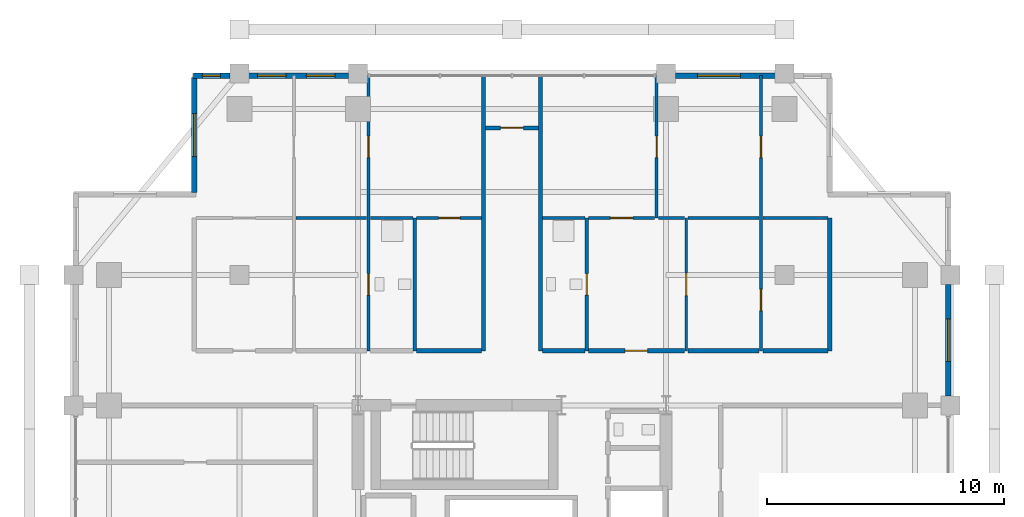
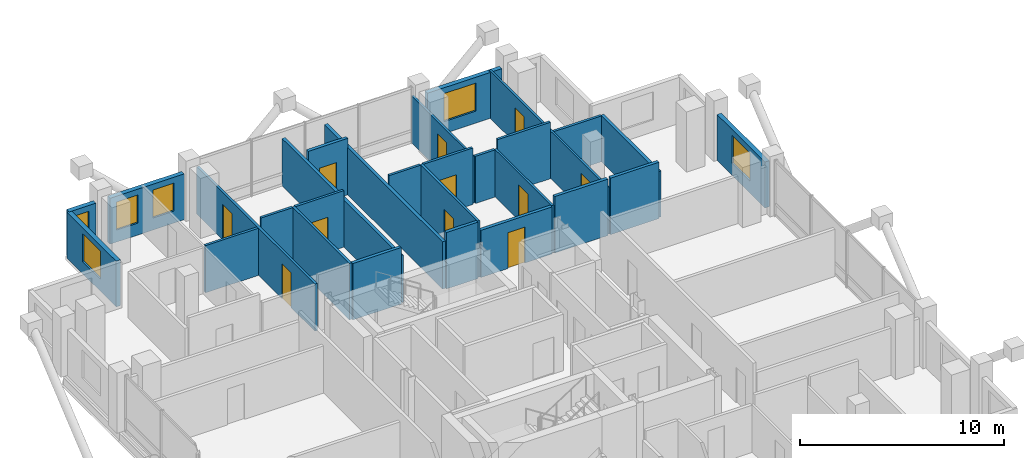
# One storey, part 21 of 24: 28 walls, 11 doors, 6 windows, 17 openings.
"""IFC4 building model written with IfcOpenShell, lengths in metres."""

import ifcopenshell
import ifcopenshell.guid

model = None  # the IFC model being written
_history = None  # IfcOwnerHistory: only IFC2X3 demands one
_inside = {}  # id of a spatial element -> (the spatial element, [elements in it])
_under = {}  # id of a project, library or spatial element -> (it, [spatial elements below it])
_declared = {}  # id of a project -> (the project, [libraries it declares])
_typed = {}  # id of a type object -> (the type object, [elements of that type])
_made_of = {}  # id of a material, layer set ... -> (it, [elements and type objects made of it])


def new_model(schema):
    """Start an empty IFC model of exactly this schema.

    Asked for "IFC4X3", IfcOpenShell would pick the latest addendum, in which some entities
    have other attributes; the version numbers below select the first issue.
    IFC2X3 requires an IfcOwnerHistory on every rooted entity: one is made here for all.
    """
    global model, _history
    if schema == "IFC4X3":
        model = ifcopenshell.file(schema_version=(4, 3, 0, 0))
    else:
        model = ifcopenshell.file(schema=schema)
    _inside.clear()
    _under.clear()
    _declared.clear()
    _typed.clear()
    _made_of.clear()
    _history = None
    if model.schema == "IFC2X3":
        org = make("IfcOrganization", Name="unknown")
        user = make(
            "IfcPersonAndOrganization",
            ThePerson=make("IfcPerson", FamilyName="unknown"),
            TheOrganization=org,
        )
        app = make(
            "IfcApplication",
            ApplicationDeveloper=org,
            Version="unknown",
            ApplicationFullName="unknown",
            ApplicationIdentifier="unknown",
        )
        _history = make(
            "IfcOwnerHistory",
            OwningUser=user,
            OwningApplication=app,
            ChangeAction="ADDED",
            CreationDate=0,
        )
    return model


def make(cls, **values):
    """One entity of the class cls with the attributes given. An attribute that is None is left unset."""
    return model.create_entity(
        cls, **{name: value for name, value in values.items() if value is not None}
    )


def rooted(cls, **values):
    """An entity with a GlobalId (a new one), such as an element, a storey or a relation."""
    return make(cls, GlobalId=ifcopenshell.guid.new(), OwnerHistory=_history, **values)


def si_unit(unit_type, name, prefix=None):
    """IfcSIUnit, for example si_unit("LENGTHUNIT", "METRE", prefix="MILLI")."""
    return make("IfcSIUnit", UnitType=unit_type, Prefix=prefix, Name=name)


def assignment(units):
    """IfcUnitAssignment: the units of a project."""
    return None if units is None else make("IfcUnitAssignment", Units=units)


def point(xyz):
    """IfcCartesianPoint."""
    return None if xyz is None else make("IfcCartesianPoint", Coordinates=xyz)


def direction(xyz):
    """IfcDirection."""
    return None if xyz is None else make("IfcDirection", DirectionRatios=xyz)


def frame(location, z_axis=None, x_axis=None):
    """IfcAxis2Placement3D, a coordinate frame: its origin and axes. An axis left out is left unset."""
    return make(
        "IfcAxis2Placement3D",
        Location=point(location),
        Axis=direction(z_axis),
        RefDirection=direction(x_axis),
    )


def frame_2d(location, x_axis=None):
    """IfcAxis2Placement2D, a coordinate frame in the plane: its origin and x axis."""
    return make(
        "IfcAxis2Placement2D", Location=point(location), RefDirection=direction(x_axis)
    )


def origin():
    """The frame at (0, 0, 0) with its axes left unset."""
    return frame((0.0, 0.0, 0.0))


def place(relative_to, where):
    """IfcLocalPlacement: puts the frame where relative to a parent placement (None: the world)."""
    return make(
        "IfcLocalPlacement", PlacementRelTo=relative_to, RelativePlacement=where
    )


def context(
    kind, dimensions, precision=None, world=None, true_north=None, identifier=None
):
    """IfcGeometricRepresentationContext, for example the 3D "Model" context."""
    return make(
        "IfcGeometricRepresentationContext",
        ContextIdentifier=identifier,
        ContextType=kind,
        CoordinateSpaceDimension=dimensions,
        Precision=precision,
        WorldCoordinateSystem=world,
        TrueNorth=true_north,
    )


def subcontext(parent, identifier, kind, view, scale=None):
    """IfcGeometricRepresentationSubContext, for example "Body" below "Model"."""
    return make(
        "IfcGeometricRepresentationSubContext",
        ContextIdentifier=identifier,
        ContextType=kind,
        ParentContext=parent,
        TargetScale=scale,
        TargetView=view,
    )


def project(units=None, contexts=None):
    """IfcProject with its units and contexts."""
    return rooted(
        "IfcProject",
        Name="project",
        RepresentationContexts=contexts,
        UnitsInContext=assignment(units),
    )


def spatial(cls, under=None, at=None, **own):
    """A site, building, storey or space (cls), placed at a placement, below another one or the project."""
    s = rooted(cls, ObjectPlacement=at, **own)
    if under is not None:
        _under.setdefault(under.id(), (under, []))[1].append(s)
    return s


def profile(cls, at=None, kind="AREA", **sizes):
    """A parametric profile (cls). Its sizes go by their IFC names, for example OverallWidth=200.0."""
    return make(cls, ProfileType=kind, Position=at, **sizes)


def rectangle(**sizes):
    """IfcRectangleProfileDef."""
    return profile("IfcRectangleProfileDef", **sizes)


def extrude(swept, where, along, depth):
    """IfcExtrudedAreaSolid: the profile swept, set in the frame where, extruded along a direction by depth."""
    return make(
        "IfcExtrudedAreaSolid",
        SweptArea=swept,
        Position=where,
        ExtrudedDirection=direction(along),
        Depth=depth,
    )


def shape(context_of_items, identifier, shape_type, items):
    """IfcShapeRepresentation: the items that make up one representation, for example the "Body"."""
    return make(
        "IfcShapeRepresentation",
        ContextOfItems=context_of_items,
        RepresentationIdentifier=identifier,
        RepresentationType=shape_type,
        Items=items,
    )


def material(Name=None, Category=None):
    """IfcMaterial."""
    return make("IfcMaterial", Name=Name, Category=Category)


def layer(
    of_material, thickness, ventilated=None, Name=None, Category=None, Priority=None
):
    """IfcMaterialLayer: one layer of a wall or slab, of a material (None: an air gap)."""
    return make(
        "IfcMaterialLayer",
        Material=of_material,
        LayerThickness=thickness,
        IsVentilated=ventilated,
        Name=Name,
        Category=Category,
        Priority=Priority,
    )


def layer_set(layers, Name=None):
    """IfcMaterialLayerSet."""
    return make("IfcMaterialLayerSet", MaterialLayers=layers, LayerSetName=Name)


def made_of(thing, what):
    """Note that an element or type object is made of a material, layer set ...; save() writes the relation."""
    if what is not None:
        _made_of.setdefault(what.id(), (what, []))[1].append(thing)
    return thing


def type_object(cls, material=None, **own):
    """A type object (cls), such as IfcWallType, which elements share."""
    return made_of(rooted(cls, **own), material)


def element(
    cls,
    number,
    at=None,
    inside=None,
    cuts=None,
    type_object=None,
    material=None,
    context=None,
    identifier="Body",
    shape_type=None,
    held_by="IfcProductDefinitionShape",
    body=None,
    shapes=None,
    **own,
):
    """One element of the class cls, such as IfcWall. Its Tag is "e" and its number.

    at: its placement. inside: the storey or other place that contains it. cuts: it is an
    opening in that element (IfcRelVoidsElement). A single representation is given by context,
    identifier, shape_type and body (its items); several are given by shapes. held_by: the class
    of the entity that holds the representations. save() writes the other relations.
    """
    e = rooted(cls, Tag="e%d" % number, ObjectPlacement=at, **own)
    if body is not None:
        shapes = [shape(context, identifier, shape_type, body)]
    if shapes is not None:
        e.Representation = make(held_by, Representations=shapes)
    if inside is not None:
        _inside.setdefault(inside.id(), (inside, []))[1].append(e)
    if cuts is not None:
        rooted(
            "IfcRelVoidsElement", RelatingBuildingElement=cuts, RelatedOpeningElement=e
        )
    if type_object is not None:
        _typed.setdefault(type_object.id(), (type_object, []))[1].append(e)
    return made_of(e, material)


def fill(opening, filler):
    """IfcRelFillsElement: the door or window that sits in an opening."""
    return rooted(
        "IfcRelFillsElement",
        RelatingOpeningElement=opening,
        RelatedBuildingElement=filler,
    )


def aggregate(whole, parts):
    """IfcRelAggregates: a whole, such as a stair, and the parts it consists of."""
    return rooted("IfcRelAggregates", RelatingObject=whole, RelatedObjects=parts)


def save(model, path):
    """Write the relations noted so far, then the file.

    IfcRelAggregates (storeys below a building ...), IfcRelContainedInSpatialStructure (elements
    in a storey), IfcRelDefinesByType, IfcRelAssociatesMaterial and IfcRelDeclares: one each for
    every whole, place, type object, material and project.
    """
    for whole, parts in _under.values():
        aggregate(whole, parts)
    for where, things in _inside.values():
        rooted(
            "IfcRelContainedInSpatialStructure",
            RelatedElements=things,
            RelatingStructure=where,
        )
    for kind, things in _typed.values():
        rooted("IfcRelDefinesByType", RelatedObjects=things, RelatingType=kind)
    for what, things in _made_of.values():
        rooted("IfcRelAssociatesMaterial", RelatedObjects=things, RelatingMaterial=what)
    for by, libraries in _declared.values():
        rooted("IfcRelDeclares", RelatingContext=by, RelatedDefinitions=libraries)
    model.write(path)


model = new_model("IFC4")

# Units and contexts
model_context = context("Model", 3, precision=1e-05, world=origin(), true_north=direction((0.0, 1.0)))
body_context = subcontext(model_context, "Body", "Model", "MODEL_VIEW")
ifc_project = project(units=[si_unit("LENGTHUNIT", "METRE"), si_unit("AREAUNIT", "SQUARE_METRE"), si_unit("VOLUMEUNIT", "CUBIC_METRE"), si_unit("PLANEANGLEUNIT", "RADIAN"), si_unit("MASSUNIT", "GRAM", prefix="KILO")], contexts=[model_context])

# Site, building, storey
site_placement = place(None, origin())
site = spatial("IfcSite", under=ifc_project, at=site_placement, CompositionType="ELEMENT")
building_placement = place(site_placement, origin())
building = spatial("IfcBuilding", under=site, at=building_placement, Name="Barlavira Tower and Art Museum", CompositionType="ELEMENT")
storey_placement = place(building_placement, frame((0.0, 0.0, 194.39990234375)))
storey = spatial("IfcBuildingStorey", under=building, at=storey_placement, Name="L50", CompositionType="ELEMENT", Elevation=194.39990234375)

# Wall, opening, door
ifc_material_1 = material(Name="Gypsum acoustic stud partition", Category="gypsum")
ifc_layer_1 = layer(ifc_material_1, 0.1201171875, Name="Gypsum acoustic stud partition")
ifc_layer_set_1 = layer_set([ifc_layer_1], Name="Gypsum acoustic stud partition")
wall_type_1 = type_object("IfcWallType", Name="Apartment Internal Acoustic Partition 120", PredefinedType="PARTITIONING", material=ifc_layer_set_1)
wall_1_placement = place(storey_placement, frame((6.10009765625, 15.39990234375, 0.0), z_axis=(0.0, 0.0, 1.0), x_axis=(0.0, 1.0, 0.0)))
wall_1 = element("IfcWall", 1, at=wall_1_placement, inside=storey, type_object=wall_type_1, Name="L50 Partition Wall 20", PredefinedType="PARTITIONING", context=body_context, shape_type="SweptSolid", body=[
    extrude(rectangle(XDim=6.0, YDim=0.1201171875, at=frame_2d((3.0, 0.0))), origin(), (0.0, 0.0, 1.0), 2.826171875),
])
opening_1_placement = place(wall_1_placement, frame((2.550048828125, 0.0, 0.0)))
opening_1 = element("IfcOpeningElement", 2, at=opening_1_placement, cuts=wall_1, Name="Opening D-01", PredefinedType="OPENING", context=body_context, shape_type="SweptSolid", body=[
    extrude(rectangle(XDim=0.89990234375, YDim=2.10009765625, at=frame_2d((0.449951171875, 1.050048828125))), frame((0.0, 0.070068359375, 0.0), z_axis=(0.0, -1.0, 0.0), x_axis=(1.0, 0.0, 0.0)), (0.0, 0.0, 1.0), 0.14013671875),
])
ifc_material_2 = material(Name="Engineered coastal hardwood", Category="wood")
door_type_1 = type_object("IfcDoorType", Name="Internal Bedroom Timber Flush Door 900x2100", OperationType="NOTDEFINED", PredefinedType="DOOR", material=ifc_material_2)
door_1_placement = place(opening_1_placement, origin())
door_1 = element("IfcDoor", 3, at=door_1_placement, inside=storey, type_object=door_type_1, Name="Apartment NE1 Bedroom 1 Door", OperationType="SINGLE_SWING_LEFT", OverallHeight=2.10009765625, OverallWidth=0.89990234375, PredefinedType="DOOR", context=body_context, shape_type="SweptSolid", body=[
    extrude(rectangle(XDim=0.89990234375, YDim=2.10009765625, at=frame_2d((0.449951171875, 1.050048828125))), frame((0.0, 0.02490234375, 0.0), z_axis=(0.0, -1.0, 0.0), x_axis=(1.0, 0.0, 0.0)), (0.0, 0.0, 1.0), 0.050048828125),
])
fill(opening_1, door_1)

wall_2_placement = place(storey_placement, frame((7.35009765625, 9.800048828125, 0.0), z_axis=(0.0, 0.0, 1.0), x_axis=(0.0, 1.0, 0.0)))
wall_2 = element("IfcWall", 4, at=wall_2_placement, inside=storey, type_object=wall_type_1, Name="L50 Partition Wall 22", PredefinedType="PARTITIONING", context=body_context, shape_type="SweptSolid", body=[
    extrude(rectangle(XDim=5.599853515625, YDim=0.1201171875, at=frame_2d((2.7998046875, 0.0))), origin(), (0.0, 0.0, 1.0), 2.826171875),
])
opening_2_placement = place(wall_2_placement, frame((2.324951171875, 0.0, 0.0)))
opening_2 = element("IfcOpeningElement", 5, at=opening_2_placement, cuts=wall_2, Name="Opening D-02", PredefinedType="OPENING", context=body_context, shape_type="SweptSolid", body=[
    extrude(rectangle(XDim=0.949951171875, YDim=2.10009765625, at=frame_2d((0.47509765625, 1.050048828125))), frame((0.0, 0.070068359375, 0.0), z_axis=(0.0, -1.0, 0.0), x_axis=(1.0, 0.0, 0.0)), (0.0, 0.0, 1.0), 0.14013671875),
])
door_type_2 = type_object("IfcDoorType", Name="Living and Salon Glazed-Leaf Door 950x2100", OperationType="NOTDEFINED", PredefinedType="DOOR", material=ifc_material_2)
door_2_placement = place(opening_2_placement, origin())
door_2 = element("IfcDoor", 6, at=door_2_placement, inside=storey, type_object=door_type_2, Name="Apartment NE1 Kitchen Door", OperationType="SINGLE_SWING_RIGHT", OverallHeight=2.10009765625, OverallWidth=0.949951171875, PredefinedType="DOOR", context=body_context, shape_type="SweptSolid", body=[
    extrude(rectangle(XDim=0.949951171875, YDim=2.10009765625, at=frame_2d((0.47509765625, 1.050048828125))), frame((0.0, 0.02490234375, 0.0), z_axis=(0.0, -1.0, 0.0), x_axis=(1.0, 0.0, 0.0)), (0.0, 0.0, 1.0), 0.050048828125),
])
fill(opening_2, door_2)

# Wall, openings, doors
wall_3_placement = place(storey_placement, frame((10.5, 9.800048828125, 0.0), z_axis=(0.0, 0.0, 1.0), x_axis=(0.0, 1.0, 0.0)))
wall_3 = element("IfcWall", 7, at=wall_3_placement, inside=storey, type_object=wall_type_1, Name="L50 Partition Wall 25", PredefinedType="PARTITIONING", context=body_context, shape_type="SweptSolid", body=[
    extrude(rectangle(XDim=11.599853515625, YDim=0.1201171875, at=frame_2d((5.7998046875, 0.0))), origin(), (0.0, 0.0, 1.0), 2.826171875),
])
opening_3_placement = place(wall_3_placement, frame((1.694091796875, 0.0, 0.0)))
opening_3 = element("IfcOpeningElement", 8, at=opening_3_placement, cuts=wall_3, Name="Opening D-01", PredefinedType="OPENING", context=body_context, shape_type="SweptSolid", body=[
    extrude(rectangle(XDim=0.89990234375, YDim=2.10009765625, at=frame_2d((0.449951171875, 1.050048828125))), frame((0.0, 0.070068359375, 0.0), z_axis=(0.0, -1.0, 0.0), x_axis=(1.0, 0.0, 0.0)), (0.0, 0.0, 1.0), 0.14013671875),
])
opening_4_placement = place(wall_3_placement, frame((8.14990234375, 0.0, 0.0)))
opening_4 = element("IfcOpeningElement", 9, at=opening_4_placement, cuts=wall_3, Name="Opening D-01", PredefinedType="OPENING", context=body_context, shape_type="SweptSolid", body=[
    extrude(rectangle(XDim=0.89990234375, YDim=2.10009765625, at=frame_2d((0.449951171875, 1.050048828125))), frame((0.0, 0.070068359375, 0.0), z_axis=(0.0, -1.0, 0.0), x_axis=(1.0, 0.0, 0.0)), (0.0, 0.0, 1.0), 0.14013671875),
])
door_3_placement = place(opening_3_placement, origin())
door_3 = element("IfcDoor", 10, at=door_3_placement, inside=storey, type_object=door_type_1, Name="Apartment NE1 Walk-In Dressing Room Door", OperationType="SINGLE_SWING_LEFT", OverallHeight=2.10009765625, OverallWidth=0.89990234375, PredefinedType="DOOR", context=body_context, shape_type="SweptSolid", body=[
    extrude(rectangle(XDim=0.89990234375, YDim=2.10009765625, at=frame_2d((0.449951171875, 1.050048828125))), frame((0.0, 0.02490234375, 0.0), z_axis=(0.0, -1.0, 0.0), x_axis=(1.0, 0.0, 0.0)), (0.0, 0.0, 1.0), 0.050048828125),
])
fill(opening_3, door_3)
door_4_placement = place(opening_4_placement, origin())
door_4 = element("IfcDoor", 11, at=door_4_placement, inside=storey, type_object=door_type_1, Name="Apartment NE1 Bedroom 2 Door", OperationType="SINGLE_SWING_RIGHT", OverallHeight=2.10009765625, OverallWidth=0.89990234375, PredefinedType="DOOR", context=body_context, shape_type="SweptSolid", body=[
    extrude(rectangle(XDim=0.89990234375, YDim=2.10009765625, at=frame_2d((0.449951171875, 1.050048828125))), frame((0.0, 0.02490234375, 0.0), z_axis=(0.0, -1.0, 0.0), x_axis=(1.0, 0.0, 0.0)), (0.0, 0.0, 1.0), 0.050048828125),
])
fill(opening_4, door_4)

# Walls
ifc_layer_2 = layer(ifc_material_1, 0.179931640625, Name="Gypsum acoustic stud partition")
ifc_layer_set_2 = layer_set([ifc_layer_2], Name="Gypsum acoustic stud partition")
wall_type_2 = type_object("IfcWallType", Name="Inter-Tenancy Party Partition Wall 180", PredefinedType="PARTITIONING", material=ifc_layer_set_2)
for number, where, z_axis, x_axis, name in (
    (12, (-1.199951171875, 9.800048828125, 0.0), (0.0, 0.0, 1.0), (0.0, 1.0, 0.0), "L50 Partition Wall 13"),
    (13, (1.199951171875, 9.800048828125, 0.0), (0.0, 0.0, 1.0), (0.0, 1.0, 0.0), "L50 Partition Wall 15"),
):
    element("IfcWall", number, at=place(storey_placement, frame(where, z_axis=z_axis, x_axis=x_axis)), inside=storey, type_object=wall_type_2, Name=name, PredefinedType="PARTITIONING", context=body_context, shape_type="SweptSolid", body=[
        extrude(rectangle(XDim=11.599853515625, YDim=0.179931640625, at=frame_2d((5.7998046875, 0.0))), origin(), (0.0, 0.0, 1.0), 2.826171875),
    ])
wall_4_placement = place(storey_placement, frame((13.39990234375, 9.800048828125, 0.0), z_axis=(0.0, 0.0, 1.0), x_axis=(0.0, 1.0, 0.0)))
element("IfcWall", 14, at=wall_4_placement, inside=storey, type_object=wall_type_2, Name="L50 Partition Wall 27", PredefinedType="PARTITIONING", context=body_context, shape_type="SweptSolid", body=[
    extrude(rectangle(XDim=5.599853515625, YDim=0.179931640625, at=frame_2d((2.7998046875, 0.0))), origin(), (0.0, 0.0, 1.0), 2.748046875),
])
wall_5_placement = place(storey_placement, frame((-4.02001953125, 9.800048828125, 0.0), z_axis=(0.0, 0.0, 1.0), x_axis=(1.0, 0.0, 0.0)))
element("IfcWall", 15, at=wall_5_placement, inside=storey, type_object=wall_type_2, Name="L50 Partition Wall 61", PredefinedType="PARTITIONING", context=body_context, shape_type="SweptSolid", body=[
    extrude(rectangle(XDim=2.739990234375, YDim=0.179931640625, at=frame_2d((1.3701171875, 0.0))), origin(), (0.0, 0.0, 1.0), 3.380126953125),
])
wall_6_placement = place(storey_placement, frame((1.280029296875, 9.800048828125, 0.0), z_axis=(0.0, 0.0, 1.0), x_axis=(1.0, 0.0, 0.0)))
element("IfcWall", 16, at=wall_6_placement, inside=storey, type_object=wall_type_2, Name="L50 Partition Wall 62", PredefinedType="PARTITIONING", context=body_context, shape_type="SweptSolid", body=[
    extrude(rectangle(XDim=1.7900390625, YDim=0.179931640625, at=frame_2d((0.89501953125, 0.0))), origin(), (0.0, 0.0, 1.0), 3.380126953125),
])

# Wall, opening, door
wall_7_placement = place(storey_placement, frame((3.22998046875, 9.800048828125, 0.0), z_axis=(0.0, 0.0, 1.0), x_axis=(1.0, 0.0, 0.0)))
wall_7 = element("IfcWall", 17, at=wall_7_placement, inside=storey, type_object=wall_type_2, Name="L50 Partition Wall 63", PredefinedType="PARTITIONING", context=body_context, shape_type="SweptSolid", body=[
    extrude(rectangle(XDim=4.0400390625, YDim=0.179931640625, at=frame_2d((2.02001953125, 0.0))), origin(), (0.0, 0.0, 1.0), 2.826171875),
])
opening_5_placement = place(wall_7_placement, frame((1.544921875, 0.0, 0.0)))
opening_5 = element("IfcOpeningElement", 18, at=opening_5_placement, cuts=wall_7, Name="Opening FD-60", PredefinedType="OPENING", context=body_context, shape_type="SweptSolid", body=[
    extrude(rectangle(XDim=0.949951171875, YDim=2.14990234375, at=frame_2d((0.47509765625, 1.074951171875))), frame((0.0, 0.10009765625, 0.0), z_axis=(0.0, -1.0, 0.0), x_axis=(1.0, 0.0, 0.0)), (0.0, 0.0, 1.0), 0.199951171875),
])
ifc_material_3 = material(Name="Brushed stainless steel", Category="steel")
door_type_3 = type_object("IfcDoorType", Name="Apartment Entrance and Riser Fire Door 950x2150 FD60S", OperationType="NOTDEFINED", PredefinedType="DOOR", material=ifc_material_3)
door_5_placement = place(opening_5_placement, origin())
door_5 = element("IfcDoor", 19, at=door_5_placement, inside=storey, type_object=door_type_3, Name="Apartment Entrance Hall NE1 Door", OperationType="SINGLE_SWING_LEFT", OverallHeight=2.14990234375, OverallWidth=0.949951171875, PredefinedType="DOOR", context=body_context, shape_type="SweptSolid", body=[
    extrude(rectangle(XDim=0.949951171875, YDim=2.14990234375, at=frame_2d((0.47509765625, 1.074951171875))), frame((0.0, 0.02490234375, 0.0), z_axis=(0.0, -1.0, 0.0), x_axis=(1.0, 0.0, 0.0)), (0.0, 0.0, 1.0), 0.050048828125),
])
fill(opening_5, door_5)

# Walls
wall_8_placement = place(storey_placement, frame((7.429931640625, 9.800048828125, 0.0), z_axis=(0.0, 0.0, 1.0), x_axis=(1.0, 0.0, 0.0)))
element("IfcWall", 20, at=wall_8_placement, inside=storey, type_object=wall_type_2, Name="L50 Partition Wall 64", PredefinedType="PARTITIONING", context=body_context, shape_type="SweptSolid", body=[
    extrude(rectangle(XDim=2.989990234375, YDim=0.179931640625, at=frame_2d((1.4951171875, 0.0))), origin(), (0.0, 0.0, 1.0), 3.380126953125),
])
wall_9_placement = place(storey_placement, frame((10.580078125, 9.800048828125, 0.0), z_axis=(0.0, 0.0, 1.0), x_axis=(1.0, 0.0, 0.0)))
element("IfcWall", 21, at=wall_9_placement, inside=storey, type_object=wall_type_2, Name="L50 Partition Wall 65", PredefinedType="PARTITIONING", context=body_context, shape_type="SweptSolid", body=[
    extrude(rectangle(XDim=2.739990234375, YDim=0.179931640625, at=frame_2d((1.3701171875, 0.0))), origin(), (0.0, 0.0, 1.0), 3.380126953125),
])

# Wall, opening, door
wall_10_placement = place(storey_placement, frame((-1.1201171875, 19.199951171875, 0.0), z_axis=(0.0, 0.0, 1.0), x_axis=(1.0, 0.0, 0.0)))
wall_10 = element("IfcWall", 22, at=wall_10_placement, inside=storey, type_object=wall_type_2, Name="L50 Partition Wall 75", PredefinedType="PARTITIONING", context=body_context, shape_type="SweptSolid", body=[
    extrude(rectangle(XDim=2.240234375, YDim=0.179931640625, at=frame_2d((1.1201171875, 0.0))), origin(), (0.0, 0.0, 1.0), 3.380126953125),
])
opening_6_placement = place(wall_10_placement, frame((0.64501953125, 0.0, 0.0)))
opening_6 = element("IfcOpeningElement", 23, at=opening_6_placement, cuts=wall_10, Name="Opening FD-60", PredefinedType="OPENING", context=body_context, shape_type="SweptSolid", body=[
    extrude(rectangle(XDim=0.949951171875, YDim=2.14990234375, at=frame_2d((0.47509765625, 1.074951171875))), frame((0.0, 0.10009765625, 0.0), z_axis=(0.0, -1.0, 0.0), x_axis=(1.0, 0.0, 0.0)), (0.0, 0.0, 1.0), 0.199951171875),
])
door_6_placement = place(opening_6_placement, origin())
door_6 = element("IfcDoor", 24, at=door_6_placement, inside=storey, type_object=door_type_3, Name="L50 North Ocean Alcove Door", OperationType="SINGLE_SWING_RIGHT", OverallHeight=2.14990234375, OverallWidth=0.949951171875, PredefinedType="DOOR", context=body_context, shape_type="SweptSolid", body=[
    extrude(rectangle(XDim=0.949951171875, YDim=2.14990234375, at=frame_2d((0.47509765625, 1.074951171875))), frame((0.0, 0.02490234375, 0.0), z_axis=(0.0, -1.0, 0.0), x_axis=(1.0, 0.0, 0.0)), (0.0, 0.0, 1.0), 0.050048828125),
])
fill(opening_6, door_6)

# Wall, openings, doors
ifc_layer_3 = layer(ifc_material_1, 0.139892578125, Name="Gypsum acoustic stud partition")
ifc_layer_set_3 = layer_set([ifc_layer_3], Name="Gypsum acoustic stud partition")
wall_type_3 = type_object("IfcWallType", Name="Moisture-Resistant Bathroom Partition 140", PredefinedType="PARTITIONING", material=ifc_layer_set_3)
wall_11_placement = place(storey_placement, frame((-6.050048828125, 9.800048828125, 0.0), z_axis=(0.0, 0.0, 1.0), x_axis=(0.0, 1.0, 0.0)))
wall_11 = element("IfcWall", 25, at=wall_11_placement, inside=storey, type_object=wall_type_3, Name="L50 Partition Wall 8", PredefinedType="PARTITIONING", context=body_context, shape_type="SweptSolid", body=[
    extrude(rectangle(XDim=11.599853515625, YDim=0.139892578125, at=frame_2d((5.7998046875, 0.0))), origin(), (0.0, 0.0, 1.0), 2.826171875),
])
opening_7_placement = place(wall_11_placement, frame((2.35009765625, 0.0, 0.0)))
opening_7 = element("IfcOpeningElement", 26, at=opening_7_placement, cuts=wall_11, Name="Opening D-WC", PredefinedType="OPENING", context=body_context, shape_type="SweptSolid", body=[
    extrude(rectangle(XDim=0.89990234375, YDim=2.10009765625, at=frame_2d((0.449951171875, 1.050048828125))), frame((0.0, 0.080078125, 0.0), z_axis=(0.0, -1.0, 0.0), x_axis=(1.0, 0.0, 0.0)), (0.0, 0.0, 1.0), 0.159912109375),
])
opening_8_placement = place(wall_11_placement, frame((8.14990234375, 0.0, 0.0)))
opening_8 = element("IfcOpeningElement", 27, at=opening_8_placement, cuts=wall_11, Name="Opening D-01", PredefinedType="OPENING", context=body_context, shape_type="SweptSolid", body=[
    extrude(rectangle(XDim=0.89990234375, YDim=2.10009765625, at=frame_2d((0.449951171875, 1.050048828125))), frame((0.0, 0.080078125, 0.0), z_axis=(0.0, -1.0, 0.0), x_axis=(1.0, 0.0, 0.0)), (0.0, 0.0, 1.0), 0.159912109375),
])
door_type_4 = type_object("IfcDoorType", Name="Accessible Bathroom Flush Door 900x2100", OperationType="NOTDEFINED", PredefinedType="DOOR", material=ifc_material_2)
door_7_placement = place(opening_7_placement, origin())
door_7 = element("IfcDoor", 28, at=door_7_placement, inside=storey, type_object=door_type_4, Name="Apartment NW1 Hall Bathroom Door", OperationType="SINGLE_SWING_LEFT", OverallHeight=2.10009765625, OverallWidth=0.89990234375, PredefinedType="DOOR", context=body_context, shape_type="SweptSolid", body=[
    extrude(rectangle(XDim=0.89990234375, YDim=2.10009765625, at=frame_2d((0.449951171875, 1.050048828125))), frame((0.0, 0.02490234375, 0.0), z_axis=(0.0, -1.0, 0.0), x_axis=(1.0, 0.0, 0.0)), (0.0, 0.0, 1.0), 0.050048828125),
])
fill(opening_7, door_7)
door_8_placement = place(opening_8_placement, origin())
door_8 = element("IfcDoor", 29, at=door_8_placement, inside=storey, type_object=door_type_1, Name="Apartment NW1 Bedroom 2 Door", OperationType="SINGLE_SWING_LEFT", OverallHeight=2.10009765625, OverallWidth=0.89990234375, PredefinedType="DOOR", context=body_context, shape_type="SweptSolid", body=[
    extrude(rectangle(XDim=0.89990234375, YDim=2.10009765625, at=frame_2d((0.449951171875, 1.050048828125))), frame((0.0, 0.02490234375, 0.0), z_axis=(0.0, -1.0, 0.0), x_axis=(1.0, 0.0, 0.0)), (0.0, 0.0, 1.0), 0.050048828125),
])
fill(opening_8, door_8)

# Wall
wall_12_placement = place(storey_placement, frame((-4.10009765625, 9.800048828125, 0.0), z_axis=(0.0, 0.0, 1.0), x_axis=(0.0, 1.0, 0.0)))
element("IfcWall", 30, at=wall_12_placement, inside=storey, type_object=wall_type_3, Name="L50 Partition Wall 11", PredefinedType="PARTITIONING", context=body_context, shape_type="SweptSolid", body=[
    extrude(rectangle(XDim=5.599853515625, YDim=0.139892578125, at=frame_2d((2.7998046875, 0.0))), origin(), (0.0, 0.0, 1.0), 3.380126953125),
])

# Wall, opening, door
wall_13_placement = place(storey_placement, frame((3.14990234375, 9.800048828125, 0.0), z_axis=(0.0, 0.0, 1.0), x_axis=(0.0, 1.0, 0.0)))
wall_13 = element("IfcWall", 31, at=wall_13_placement, inside=storey, type_object=wall_type_3, Name="L50 Partition Wall 17", PredefinedType="PARTITIONING", context=body_context, shape_type="SweptSolid", body=[
    extrude(rectangle(XDim=5.599853515625, YDim=0.139892578125, at=frame_2d((2.7998046875, 0.0))), origin(), (0.0, 0.0, 1.0), 3.380126953125),
])
opening_9_placement = place(wall_13_placement, frame((2.35009765625, 0.0, 0.0)))
opening_9 = element("IfcOpeningElement", 32, at=opening_9_placement, cuts=wall_13, Name="Opening D-WC", PredefinedType="OPENING", context=body_context, shape_type="SweptSolid", body=[
    extrude(rectangle(XDim=0.89990234375, YDim=2.10009765625, at=frame_2d((0.449951171875, 1.050048828125))), frame((0.0, 0.080078125, 0.0), z_axis=(0.0, -1.0, 0.0), x_axis=(1.0, 0.0, 0.0)), (0.0, 0.0, 1.0), 0.159912109375),
])
door_9_placement = place(opening_9_placement, origin())
door_9 = element("IfcDoor", 33, at=door_9_placement, inside=storey, type_object=door_type_4, Name="Apartment NE1 Hall Bathroom Door", OperationType="SINGLE_SWING_RIGHT", OverallHeight=2.10009765625, OverallWidth=0.89990234375, PredefinedType="DOOR", context=body_context, shape_type="SweptSolid", body=[
    extrude(rectangle(XDim=0.89990234375, YDim=2.10009765625, at=frame_2d((0.449951171875, 1.050048828125))), frame((0.0, 0.02490234375, 0.0), z_axis=(0.0, -1.0, 0.0), x_axis=(1.0, 0.0, 0.0)), (0.0, 0.0, 1.0), 0.050048828125),
])
fill(opening_9, door_9)

# Walls
wall_14_placement = place(storey_placement, frame((-9.1201171875, 15.39990234375, 0.0), z_axis=(0.0, 0.0, 1.0), x_axis=(1.0, 0.0, 0.0)))
element("IfcWall", 34, at=wall_14_placement, inside=storey, type_object=wall_type_3, Name="L50 Partition Wall 67", PredefinedType="PARTITIONING", context=body_context, shape_type="SweptSolid", body=[
    extrude(rectangle(XDim=2.990234375, YDim=0.139892578125, at=frame_2d((1.4951171875, 0.0))), origin(), (0.0, 0.0, 1.0), 2.826171875),
])
wall_15_placement = place(storey_placement, frame((-5.969970703125, 15.39990234375, 0.0), z_axis=(0.0, 0.0, 1.0), x_axis=(1.0, 0.0, 0.0)))
element("IfcWall", 35, at=wall_15_placement, inside=storey, type_object=wall_type_3, Name="L50 Partition Wall 68", PredefinedType="PARTITIONING", context=body_context, shape_type="SweptSolid", body=[
    extrude(rectangle(XDim=1.7900390625, YDim=0.139892578125, at=frame_2d((0.89501953125, 0.0))), origin(), (0.0, 0.0, 1.0), 3.380126953125),
])

# Wall, opening, door
wall_16_placement = place(storey_placement, frame((-4.02001953125, 15.39990234375, 0.0), z_axis=(0.0, 0.0, 1.0), x_axis=(1.0, 0.0, 0.0)))
wall_16 = element("IfcWall", 36, at=wall_16_placement, inside=storey, type_object=wall_type_3, Name="L50 Partition Wall 69", PredefinedType="PARTITIONING", context=body_context, shape_type="SweptSolid", body=[
    extrude(rectangle(XDim=2.739990234375, YDim=0.139892578125, at=frame_2d((1.3701171875, 0.0))), origin(), (0.0, 0.0, 1.0), 3.380126953125),
])
opening_10_placement = place(wall_16_placement, frame((0.929931640625, 0.0, 0.0)))
opening_10 = element("IfcOpeningElement", 37, at=opening_10_placement, cuts=wall_16, Name="Opening D-01", PredefinedType="OPENING", context=body_context, shape_type="SweptSolid", body=[
    extrude(rectangle(XDim=0.89990234375, YDim=2.10009765625, at=frame_2d((0.449951171875, 1.050048828125))), frame((0.0, 0.080078125, 0.0), z_axis=(0.0, -1.0, 0.0), x_axis=(1.0, 0.0, 0.0)), (0.0, 0.0, 1.0), 0.159912109375),
])
door_10_placement = place(opening_10_placement, origin())
door_10 = element("IfcDoor", 38, at=door_10_placement, inside=storey, type_object=door_type_1, Name="Apartment NW1 Study Door", OperationType="SINGLE_SWING_RIGHT", OverallHeight=2.10009765625, OverallWidth=0.89990234375, PredefinedType="DOOR", context=body_context, shape_type="SweptSolid", body=[
    extrude(rectangle(XDim=0.89990234375, YDim=2.10009765625, at=frame_2d((0.449951171875, 1.050048828125))), frame((0.0, 0.02490234375, 0.0), z_axis=(0.0, -1.0, 0.0), x_axis=(1.0, 0.0, 0.0)), (0.0, 0.0, 1.0), 0.050048828125),
])
fill(opening_10, door_10)

# Wall
wall_17_placement = place(storey_placement, frame((1.280029296875, 15.39990234375, 0.0), z_axis=(0.0, 0.0, 1.0), x_axis=(1.0, 0.0, 0.0)))
element("IfcWall", 39, at=wall_17_placement, inside=storey, type_object=wall_type_3, Name="L50 Partition Wall 70", PredefinedType="PARTITIONING", context=body_context, shape_type="SweptSolid", body=[
    extrude(rectangle(XDim=1.7900390625, YDim=0.139892578125, at=frame_2d((0.89501953125, 0.0))), origin(), (0.0, 0.0, 1.0), 3.380126953125),
])

# Wall, opening, door
wall_18_placement = place(storey_placement, frame((3.22998046875, 15.39990234375, 0.0), z_axis=(0.0, 0.0, 1.0), x_axis=(1.0, 0.0, 0.0)))
wall_18 = element("IfcWall", 40, at=wall_18_placement, inside=storey, type_object=wall_type_3, Name="L50 Partition Wall 71", PredefinedType="PARTITIONING", context=body_context, shape_type="SweptSolid", body=[
    extrude(rectangle(XDim=2.7900390625, YDim=0.139892578125, at=frame_2d((1.39501953125, 0.0))), origin(), (0.0, 0.0, 1.0), 3.380126953125),
])
opening_11_placement = place(wall_18_placement, frame((0.9150390625, 0.0, 0.0)))
opening_11 = element("IfcOpeningElement", 41, at=opening_11_placement, cuts=wall_18, Name="Opening D-02", PredefinedType="OPENING", context=body_context, shape_type="SweptSolid", body=[
    extrude(rectangle(XDim=0.949951171875, YDim=2.10009765625, at=frame_2d((0.47509765625, 1.050048828125))), frame((0.0, 0.080078125, 0.0), z_axis=(0.0, -1.0, 0.0), x_axis=(1.0, 0.0, 0.0)), (0.0, 0.0, 1.0), 0.159912109375),
])
door_11_placement = place(opening_11_placement, origin())
door_11 = element("IfcDoor", 42, at=door_11_placement, inside=storey, type_object=door_type_2, Name="Apartment NE1 Living Lounge Door", OperationType="SINGLE_SWING_RIGHT", OverallHeight=2.10009765625, OverallWidth=0.949951171875, PredefinedType="DOOR", context=body_context, shape_type="SweptSolid", body=[
    extrude(rectangle(XDim=0.949951171875, YDim=2.10009765625, at=frame_2d((0.47509765625, 1.050048828125))), frame((0.0, 0.02490234375, 0.0), z_axis=(0.0, -1.0, 0.0), x_axis=(1.0, 0.0, 0.0)), (0.0, 0.0, 1.0), 0.050048828125),
])
fill(opening_11, door_11)

# Walls
wall_19_placement = place(storey_placement, frame((6.179931640625, 15.39990234375, 0.0), z_axis=(0.0, 0.0, 1.0), x_axis=(1.0, 0.0, 0.0)))
element("IfcWall", 43, at=wall_19_placement, inside=storey, type_object=wall_type_3, Name="L50 Partition Wall 72", PredefinedType="PARTITIONING", context=body_context, shape_type="SweptSolid", body=[
    extrude(rectangle(XDim=1.090087890625, YDim=0.139892578125, at=frame_2d((0.544921875, 0.0))), origin(), (0.0, 0.0, 1.0), 2.826171875),
])
wall_20_placement = place(storey_placement, frame((7.429931640625, 15.39990234375, 0.0), z_axis=(0.0, 0.0, 1.0), x_axis=(1.0, 0.0, 0.0)))
element("IfcWall", 44, at=wall_20_placement, inside=storey, type_object=wall_type_3, Name="L50 Partition Wall 73", PredefinedType="PARTITIONING", context=body_context, shape_type="SweptSolid", body=[
    extrude(rectangle(XDim=2.989990234375, YDim=0.139892578125, at=frame_2d((1.4951171875, 0.0))), origin(), (0.0, 0.0, 1.0), 3.380126953125),
])
wall_21_placement = place(storey_placement, frame((10.580078125, 15.39990234375, 0.0), z_axis=(0.0, 0.0, 1.0), x_axis=(1.0, 0.0, 0.0)))
element("IfcWall", 45, at=wall_21_placement, inside=storey, type_object=wall_type_3, Name="L50 Partition Wall 74", PredefinedType="PARTITIONING", context=body_context, shape_type="SweptSolid", body=[
    extrude(rectangle(XDim=2.739990234375, YDim=0.139892578125, at=frame_2d((1.3701171875, 0.0))), origin(), (0.0, 0.0, 1.0), 2.748046875),
])

# Wall, opening, window
ifc_material_4 = material(Name="Precast concrete C40", Category="concrete")
ifc_layer_4 = layer(ifc_material_4, 0.25, Name="Precast concrete C40")
ifc_layer_set_4 = layer_set([ifc_layer_4], Name="Precast concrete C40")
wall_type_4 = type_object("IfcWallType", Name="Notched Corner Spandrel Wall 250 Precast Concrete C40", PredefinedType="SOLIDWALL", material=ifc_layer_set_4)
wall_22_placement = place(storey_placement, frame((11.10498046875, 21.39990234375, 0.0), z_axis=(0.0, 0.0, 1.0), x_axis=(-1.0, 0.0, 0.0)))
wall_22 = element("IfcWall", 46, at=wall_22_placement, inside=storey, type_object=wall_type_4, Name="L50 Coastal Facade Pier Wall CW3-L50-N-2", PredefinedType="SOLIDWALL", context=body_context, shape_type="SweptSolid", body=[
    extrude(rectangle(XDim=4.2099609375, YDim=0.25, at=frame_2d((2.10498046875, 0.0))), origin(), (0.0, 0.0, 1.0), 2.748046875),
])
opening_12_placement = place(wall_22_placement, frame((1.47509765625, 0.0, 0.719970703125)))
opening_12 = element("IfcOpeningElement", 47, at=opening_12_placement, cuts=wall_22, Name="Opening WN-01", PredefinedType="OPENING", context=body_context, shape_type="SweptSolid", body=[
    extrude(rectangle(XDim=1.800048828125, YDim=1.679931640625, at=frame_2d((0.89990234375, 0.83984375))), frame((0.0, 0.135009765625, 0.0), z_axis=(0.0, -1.0, 0.0), x_axis=(1.0, 0.0, 0.0)), (0.0, 0.0, 1.0), 0.27001953125),
])
ifc_material_5 = material(Name="Low-iron coastal laminated glass", Category="glass")
window_type_1 = type_object("IfcWindowType", Name="Recessed Notch Corner Punch Window 1800x1680", PartitioningType="SINGLE_PANEL", PredefinedType="WINDOW", material=ifc_material_5)
window_1_placement = place(opening_12_placement, origin())
window_1 = element("IfcWindow", 48, at=window_1_placement, inside=storey, type_object=window_type_1, Name="L50 Punched Facade Window EWP-CW3-L50-N-2-1", OverallHeight=1.679931640625, OverallWidth=1.800048828125, PartitioningType="SINGLE_PANEL", PredefinedType="WINDOW", context=body_context, shape_type="SweptSolid", body=[
    extrude(rectangle(XDim=1.800048828125, YDim=1.679931640625, at=frame_2d((0.89990234375, 0.83984375))), frame((0.0, 0.030029296875, 0.0), z_axis=(0.0, -1.0, 0.0), x_axis=(1.0, 0.0, 0.0)), (0.0, 0.0, 1.0), 0.06005859375),
])
fill(opening_12, window_1)

# Wall, openings, windows
wall_23_placement = place(storey_placement, frame((-6.89501953125, 21.39990234375, 0.0), z_axis=(0.0, 0.0, 1.0), x_axis=(-1.0, 0.0, 0.0)))
wall_23 = element("IfcWall", 49, at=wall_23_placement, inside=storey, type_object=wall_type_4, Name="L50 Coastal Facade Pier Wall CW3-L50-N-4", PredefinedType="SOLIDWALL", context=body_context, shape_type="SweptSolid", body=[
    extrude(rectangle(XDim=4.2099609375, YDim=0.25, at=frame_2d((2.10498046875, 0.0))), origin(), (0.0, 0.0, 1.0), 2.748046875),
])
opening_13_placement = place(wall_23_placement, frame((0.574951171875, 0.0, 0.719970703125)))
opening_13 = element("IfcOpeningElement", 50, at=opening_13_placement, cuts=wall_23, Name="Opening WN-05", PredefinedType="OPENING", context=body_context, shape_type="SweptSolid", body=[
    extrude(rectangle(XDim=1.199951171875, YDim=1.679931640625, at=frame_2d((0.60009765625, 0.83984375))), frame((0.0, 0.135009765625, 0.0), z_axis=(0.0, -1.0, 0.0), x_axis=(1.0, 0.0, 0.0)), (0.0, 0.0, 1.0), 0.27001953125),
])
opening_14_placement = place(wall_23_placement, frame((2.635009765625, 0.0, 0.719970703125)))
opening_14 = element("IfcOpeningElement", 51, at=opening_14_placement, cuts=wall_23, Name="Opening WN-05", PredefinedType="OPENING", context=body_context, shape_type="SweptSolid", body=[
    extrude(rectangle(XDim=1.199951171875, YDim=1.679931640625, at=frame_2d((0.60009765625, 0.83984375))), frame((0.0, 0.135009765625, 0.0), z_axis=(0.0, -1.0, 0.0), x_axis=(1.0, 0.0, 0.0)), (0.0, 0.0, 1.0), 0.27001953125),
])
window_type_2 = type_object("IfcWindowType", Name="Recessed Flank Pier Punch Window 1200x1680", PartitioningType="SINGLE_PANEL", PredefinedType="WINDOW", material=ifc_material_5)
window_2_placement = place(opening_13_placement, origin())
window_2 = element("IfcWindow", 52, at=window_2_placement, inside=storey, type_object=window_type_2, Name="L50 Punched Facade Window EWP-CW3-L50-N-4-1", OverallHeight=1.679931640625, OverallWidth=1.199951171875, PartitioningType="SINGLE_PANEL", PredefinedType="WINDOW", context=body_context, shape_type="SweptSolid", body=[
    extrude(rectangle(XDim=1.199951171875, YDim=1.679931640625, at=frame_2d((0.60009765625, 0.83984375))), frame((0.0, 0.030029296875, 0.0), z_axis=(0.0, -1.0, 0.0), x_axis=(1.0, 0.0, 0.0)), (0.0, 0.0, 1.0), 0.06005859375),
])
fill(opening_13, window_2)
window_3_placement = place(opening_14_placement, origin())
window_3 = element("IfcWindow", 53, at=window_3_placement, inside=storey, type_object=window_type_2, Name="L50 Punched Facade Window EWP-CW3-L50-N-4-2", OverallHeight=1.679931640625, OverallWidth=1.199951171875, PartitioningType="SINGLE_PANEL", PredefinedType="WINDOW", context=body_context, shape_type="SweptSolid", body=[
    extrude(rectangle(XDim=1.199951171875, YDim=1.679931640625, at=frame_2d((0.60009765625, 0.83984375))), frame((0.0, 0.030029296875, 0.0), z_axis=(0.0, -1.0, 0.0), x_axis=(1.0, 0.0, 0.0)), (0.0, 0.0, 1.0), 0.06005859375),
])
fill(opening_14, window_3)

# Wall, opening, window
wall_24_placement = place(storey_placement, frame((-11.89501953125, 21.39990234375, 0.0), z_axis=(0.0, 0.0, 1.0), x_axis=(-1.0, 0.0, 0.0)))
wall_24 = element("IfcWall", 54, at=wall_24_placement, inside=storey, type_object=wall_type_4, Name="L50 Coastal Facade Pier Wall CW3-L50-N-5", PredefinedType="SOLIDWALL", context=body_context, shape_type="SweptSolid", body=[
    extrude(rectangle(XDim=1.530029296875, YDim=0.25, at=frame_2d((0.76513671875, 0.0))), origin(), (0.0, 0.0, 1.0), 2.748046875),
])
opening_15_placement = place(wall_24_placement, frame((0.407958984375, 0.0, 0.719970703125)))
opening_15 = element("IfcOpeningElement", 55, at=opening_15_placement, cuts=wall_24, Name="Opening WN-06", PredefinedType="OPENING", context=body_context, shape_type="SweptSolid", body=[
    extrude(rectangle(XDim=0.760009765625, YDim=1.679931640625, at=frame_2d((0.3798828125, 0.83984375))), frame((0.0, 0.135009765625, 0.0), z_axis=(0.0, -1.0, 0.0), x_axis=(1.0, 0.0, 0.0)), (0.0, 0.0, 1.0), 0.27001953125),
])
window_type_3 = type_object("IfcWindowType", Name="Recessed Narrow Pier Window 760x1680", PartitioningType="SINGLE_PANEL", PredefinedType="WINDOW", material=ifc_material_5)
window_4_placement = place(opening_15_placement, origin())
window_4 = element("IfcWindow", 56, at=window_4_placement, inside=storey, type_object=window_type_3, Name="L50 Punched Facade Window EWP-CW3-L50-N-5-1", OverallHeight=1.679931640625, OverallWidth=0.760009765625, PartitioningType="SINGLE_PANEL", PredefinedType="WINDOW", context=body_context, shape_type="SweptSolid", body=[
    extrude(rectangle(XDim=0.760009765625, YDim=1.679931640625, at=frame_2d((0.3798828125, 0.83984375))), frame((0.0, 0.030029296875, 0.0), z_axis=(0.0, -1.0, 0.0), x_axis=(1.0, 0.0, 0.0)), (0.0, 0.0, 1.0), 0.06005859375),
])
fill(opening_15, window_4)

wall_25_placement = place(storey_placement, frame((18.39990234375, 7.89501953125, 0.0), z_axis=(0.0, 0.0, 1.0), x_axis=(0.0, 1.0, 0.0)))
wall_25 = element("IfcWall", 57, at=wall_25_placement, inside=storey, type_object=wall_type_4, Name="L50 Coastal Facade Pier Wall CW3-L50-E-4", PredefinedType="SOLIDWALL", context=body_context, shape_type="SweptSolid", body=[
    extrude(rectangle(XDim=4.7099609375, YDim=0.25, at=frame_2d((2.35498046875, 0.0))), origin(), (0.0, 0.0, 1.0), 2.748046875),
])
opening_16_placement = place(wall_25_placement, frame((1.455078125, 0.0, 0.719970703125)))
opening_16 = element("IfcOpeningElement", 58, at=opening_16_placement, cuts=wall_25, Name="Opening WN-01", PredefinedType="OPENING", context=body_context, shape_type="SweptSolid", body=[
    extrude(rectangle(XDim=1.800048828125, YDim=1.679931640625, at=frame_2d((0.89990234375, 0.83984375))), frame((0.0, 0.135009765625, 0.0), z_axis=(0.0, -1.0, 0.0), x_axis=(1.0, 0.0, 0.0)), (0.0, 0.0, 1.0), 0.27001953125),
])
window_5_placement = place(opening_16_placement, origin())
window_5 = element("IfcWindow", 59, at=window_5_placement, inside=storey, type_object=window_type_1, Name="L50 Punched Facade Window EWP-CW3-L50-E-4-1", OverallHeight=1.679931640625, OverallWidth=1.800048828125, PartitioningType="SINGLE_PANEL", PredefinedType="WINDOW", context=body_context, shape_type="SweptSolid", body=[
    extrude(rectangle(XDim=1.800048828125, YDim=1.679931640625, at=frame_2d((0.89990234375, 0.83984375))), frame((0.0, 0.030029296875, 0.0), z_axis=(0.0, -1.0, 0.0), x_axis=(1.0, 0.0, 0.0)), (0.0, 0.0, 1.0), 0.06005859375),
])
fill(opening_16, window_5)

wall_26_placement = place(storey_placement, frame((-13.39990234375, 21.320068359375, 0.0), z_axis=(0.0, 0.0, 1.0), x_axis=(0.0, -1.0, 0.0)))
wall_26 = element("IfcWall", 60, at=wall_26_placement, inside=storey, type_object=wall_type_4, Name="L50 Notch Corner Wall NW1", PredefinedType="SOLIDWALL", context=body_context, shape_type="SweptSolid", body=[
    extrude(rectangle(XDim=4.840087890625, YDim=0.25, at=frame_2d((2.419921875, 0.0))), origin(), (0.0, 0.0, 1.0), 2.748046875),
])
opening_17_placement = place(wall_26_placement, frame((1.52001953125, 0.0, 0.719970703125)))
opening_17 = element("IfcOpeningElement", 61, at=opening_17_placement, cuts=wall_26, Name="Opening WN-01", PredefinedType="OPENING", context=body_context, shape_type="SweptSolid", body=[
    extrude(rectangle(XDim=1.800048828125, YDim=1.679931640625, at=frame_2d((0.89990234375, 0.83984375))), frame((0.0, 0.135009765625, 0.0), z_axis=(0.0, -1.0, 0.0), x_axis=(1.0, 0.0, 0.0)), (0.0, 0.0, 1.0), 0.27001953125),
])
window_6_placement = place(opening_17_placement, origin())
window_6 = element("IfcWindow", 62, at=window_6_placement, inside=storey, type_object=window_type_1, Name="L50 Punched Facade Window EW-NTC-L50-NW1-1", OverallHeight=1.679931640625, OverallWidth=1.800048828125, PartitioningType="SINGLE_PANEL", PredefinedType="WINDOW", context=body_context, shape_type="SweptSolid", body=[
    extrude(rectangle(XDim=1.800048828125, YDim=1.679931640625, at=frame_2d((0.89990234375, 0.83984375))), frame((0.0, 0.030029296875, 0.0), z_axis=(0.0, -1.0, 0.0), x_axis=(1.0, 0.0, 0.0)), (0.0, 0.0, 1.0), 0.06005859375),
])
fill(opening_17, window_6)

save(model, "model.ifc")
